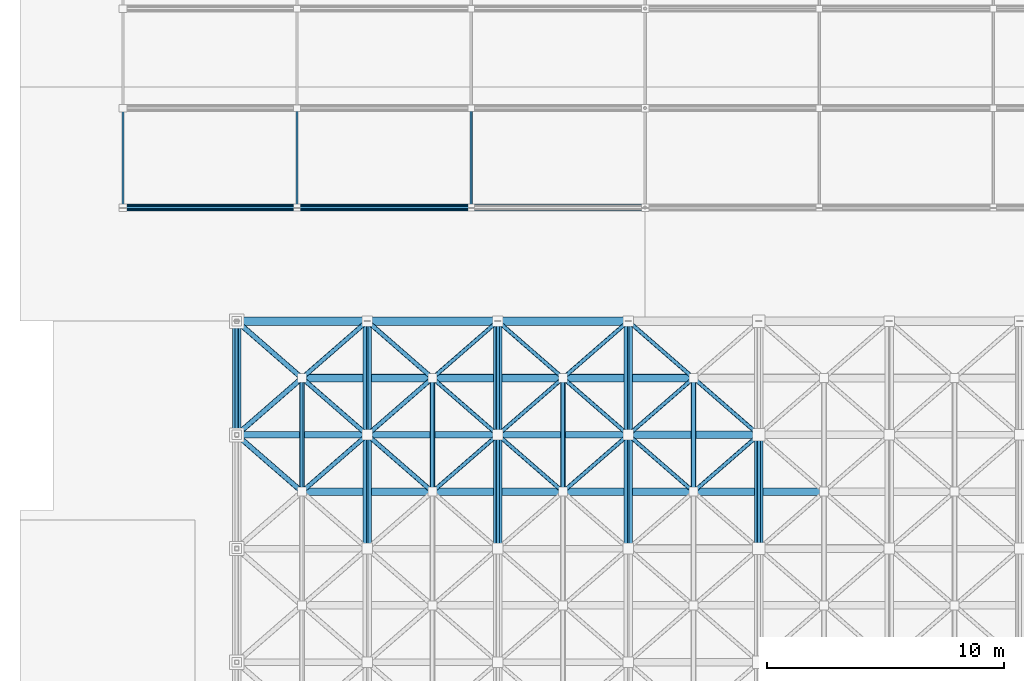
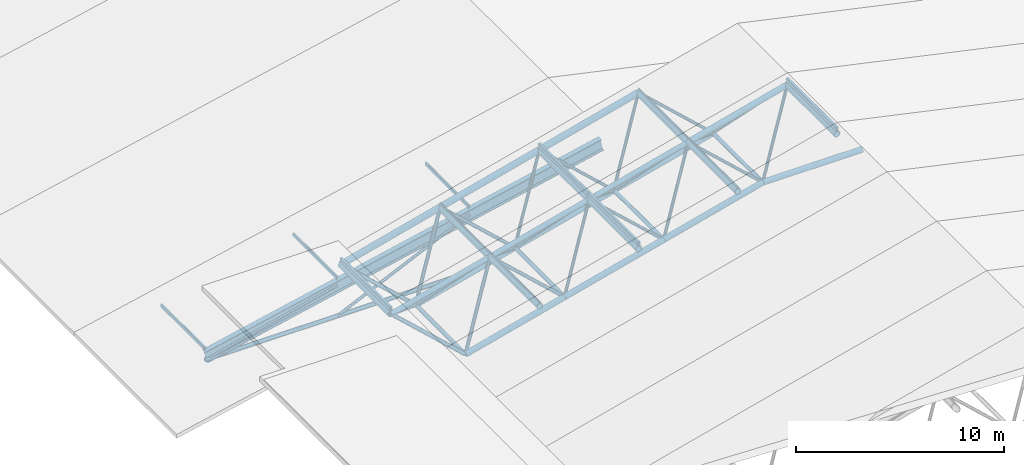
# One storey, part 9 of 60: 64 members, 1 beam.
"""IFC4 building model written with IfcOpenShell, lengths in metres."""

from ifc_helpers import new_model, si_unit, direction, frame, origin, origin_2d, place, context, subcontext, project, spatial, hollow_rectangle, hollow_circle, i_section, extrude, material, material_profile, profile_set, type_object, element, save


model = new_model("IFC4")

# Units and contexts
model_context = context("Model", 3, precision=1e-05, world=origin(), true_north=direction((0.0, 1.0)))
body_context = subcontext(model_context, "Body", "Model", "MODEL_VIEW")
ifc_project = project(units=[si_unit("LENGTHUNIT", "METRE"), si_unit("AREAUNIT", "SQUARE_METRE"), si_unit("VOLUMEUNIT", "CUBIC_METRE"), si_unit("PLANEANGLEUNIT", "RADIAN"), si_unit("MASSUNIT", "GRAM", prefix="KILO")], contexts=[model_context])

# Site, building, storey
site_placement = place(None, origin())
site = spatial("IfcSite", under=ifc_project, at=site_placement, CompositionType="ELEMENT")
building_placement = place(site_placement, origin())
building = spatial("IfcBuilding", under=site, at=building_placement, Name="Nakhvara Creek Congress Hotel", CompositionType="ELEMENT")
storey_placement = place(building_placement, frame((0.0, 0.0, 54.60009765625)))
storey = spatial("IfcBuildingStorey", under=building, at=storey_placement, Name="RL1", CompositionType="ELEMENT", Elevation=54.60009765625)

# Beam
ifc_material_1 = material(Name="Steel S355J2", Category="steel")
ifc_material_profile_1 = material_profile(ifc_material_1, i_section(OverallWidth=0.300048828125, OverallDepth=0.699951171875, WebThickness=0.01708984375, FlangeThickness=0.031982421875, FilletRadius=0.027099609375, at=origin_2d()), Name="HEB 700", Category="LoadBearing")
ifc_profile_set_1 = profile_set([ifc_material_profile_1], Name="Steel S355J2")
beam_type = type_object("IfcBeamType", Name="BM-ST-HEB700", PredefinedType="BEAM", material=ifc_profile_set_1)
beam_placement = place(storey_placement, frame((4.35009765625, 91.199951171875, -41.68017578125), z_axis=(0.977115492222, 0.0, 0.212709461143), x_axis=(0.0, 1.0, 0.0)))
element("IfcBeam", 1, at=beam_placement, inside=storey, type_object=beam_type, Name="Ballroom Roof Truss West Rafter 01", PredefinedType="BEAM", context=body_context, shape_type="SweptSolid", body=[
    extrude(i_section(OverallWidth=0.300048828125, OverallDepth=0.699951171875, WebThickness=0.01708984375, FlangeThickness=0.031982421875, FilletRadius=0.027099609375, at=origin_2d()), origin(), (0.0, 0.0, 1.0), 22.566162109375),
])

# Members
ifc_material_2 = material(Name="Steel S355J2H", Category="steel")
ifc_material_profile_2 = material_profile(ifc_material_2, hollow_circle(Radius=0.084228515625, WallThickness=0.008056640625, at=origin_2d()), Name="CHS 168.3x8.0", Category="LoadBearing")
ifc_profile_set_2 = profile_set([ifc_material_profile_2], Name="Steel S355J2H")
member_type_1 = type_object("IfcMemberType", Name="MEM-BRC-CHS168", PredefinedType="BRACE", material=ifc_profile_set_2)
member_1_placement = place(storey_placement, frame((4.35009765625, 91.199951171875, -41.89013671875), z_axis=(0.970988385027, 0.0, 0.239126652934), x_axis=(0.0, 1.0, 0.0)))
element("IfcMember", 2, at=member_1_placement, inside=storey, type_object=member_type_1, Name="Ballroom Roof Truss Web Brace 01.1", PredefinedType="BRACE", context=body_context, shape_type="SweptSolid", body=[
    extrude(hollow_circle(Radius=0.084228515625, WallThickness=0.008056640625, at=origin_2d()), origin(), (0.0, 0.0, 1.0), 7.5693359375),
])
member_2_placement = place(storey_placement, frame((11.699951171875, 91.199951171875, -41.89013671875), z_axis=(0.907121554774, 0.0, 0.420868726403), x_axis=(0.0, 1.0, 0.0)))
element("IfcMember", 3, at=member_2_placement, inside=storey, type_object=member_type_1, Name="Ballroom Roof Truss Web Brace 01.2", PredefinedType="BRACE", context=body_context, shape_type="SweptSolid", body=[
    extrude(hollow_circle(Radius=0.084228515625, WallThickness=0.008056640625, at=origin_2d()), origin(), (0.0, 0.0, 1.0), 8.1025390625),
])
ifc_material_profile_3 = material_profile(ifc_material_2, hollow_circle(Radius=0.084228515625, WallThickness=0.010009765625, at=origin_2d()), Name="CHS 168.3x10.0", Category="LoadBearing")
ifc_profile_set_3 = profile_set([ifc_material_profile_3], Name="Steel S355J2H")
member_type_2 = type_object("IfcMemberType", Name="MEM-BRC-CHS168H", PredefinedType="BRACE", material=ifc_profile_set_3)
member_3_placement = place(storey_placement, frame((17.418701171875, 79.199951171875, -35.489990234375), z_axis=(0.558242106429, 0.486100810301, 0.672362813394), x_axis=(-0.656696195101, 0.754155227616, 0.0)))
element("IfcMember", 4, at=member_3_placement, inside=storey, type_object=member_type_2, Name="Congress Space Frame Web Diagonal 0630", PredefinedType="BRACE", context=body_context, shape_type="SweptSolid", body=[
    extrude(hollow_circle(Radius=0.084228515625, WallThickness=0.010009765625, at=origin_2d()), origin(), (0.0, 0.0, 1.0), 4.9375),
])
member_4_placement = place(storey_placement, frame((22.93115234375, 79.199951171875, -34.050048828125), z_axis=(-0.670611215194, 0.584000253041, 0.457410431127), x_axis=(-0.656729278158, -0.754126418587, 0.0)))
element("IfcMember", 5, at=member_4_placement, inside=storey, type_object=member_type_2, Name="Congress Space Frame Web Diagonal 0635", PredefinedType="BRACE", context=body_context, shape_type="SweptSolid", body=[
    extrude(hollow_circle(Radius=0.084228515625, WallThickness=0.010009765625, at=origin_2d()), origin(), (0.0, 0.0, 1.0), 4.10986328125),
])
member_5_placement = place(storey_placement, frame((22.93115234375, 79.199951171875, -34.050048828125), z_axis=(0.558223547657, 0.486084649868, 0.672389904746), x_axis=(-0.656696195101, 0.754155227616, 0.0)))
element("IfcMember", 6, at=member_5_placement, inside=storey, type_object=member_type_2, Name="Congress Space Frame Web Diagonal 0636", PredefinedType="BRACE", context=body_context, shape_type="SweptSolid", body=[
    extrude(hollow_circle(Radius=0.084228515625, WallThickness=0.010009765625, at=origin_2d()), origin(), (0.0, 0.0, 1.0), 4.937744140625),
])
member_6_placement = place(storey_placement, frame((28.44384765625, 79.199951171875, -32.610107421875), z_axis=(-0.670625680367, 0.583961121673, 0.457439181976), x_axis=(-0.656696195101, -0.754155227616, 0.0)))
element("IfcMember", 7, at=member_6_placement, inside=storey, type_object=member_type_2, Name="Congress Space Frame Web Diagonal 0641", PredefinedType="BRACE", context=body_context, shape_type="SweptSolid", body=[
    extrude(hollow_circle(Radius=0.084228515625, WallThickness=0.010009765625, at=origin_2d()), origin(), (0.0, 0.0, 1.0), 4.110107421875),
])
for number, where, z_axis, x_axis, name in (
    (8, (28.44384765625, 79.199951171875, -32.610107421875), (0.558189509619, 0.486098066176, 0.672408463221), (-0.656729278158, 0.754126418587, 0.0), "Congress Space Frame Web Diagonal 0642"),
    (9, (17.418701171875, 84.0, -35.489990234375), (0.558255523915, -0.486063046951, 0.672378973799), (0.656658200939, 0.754188310132, 0.0), "Congress Space Frame Web Diagonal 0673"),
    (10, (17.418701171875, 84.0, -35.489990234375), (0.558255523915, 0.486063046951, 0.672378973799), (-0.656658200939, 0.754188310132, 0.0), "Congress Space Frame Web Diagonal 0675"),
):
    element("IfcMember", number, at=place(storey_placement, frame(where, z_axis=z_axis, x_axis=x_axis)), inside=storey, type_object=member_type_2, Name=name, PredefinedType="BRACE", context=body_context, shape_type="SweptSolid", body=[
        extrude(hollow_circle(Radius=0.084228515625, WallThickness=0.010009765625, at=origin_2d()), origin(), (0.0, 0.0, 1.0), 4.9375),
    ])
member_7_placement = place(storey_placement, frame((22.93115234375, 84.0, -34.050048828125), z_axis=(-0.670634480014, -0.583961107143, 0.457426299593), x_axis=(0.656691284984, -0.754159503173, 0.0)))
element("IfcMember", 11, at=member_7_placement, inside=storey, type_object=member_type_2, Name="Congress Space Frame Web Diagonal 0677", PredefinedType="BRACE", context=body_context, shape_type="SweptSolid", body=[
    extrude(hollow_circle(Radius=0.084228515625, WallThickness=0.010009765625, at=origin_2d()), origin(), (0.0, 0.0, 1.0), 4.109619140625),
])
member_8_placement = place(storey_placement, frame((22.93115234375, 84.0, -34.050048828125), z_axis=(0.558236963804, -0.486046886997, 0.672406064728), x_axis=(0.656658200939, 0.754188310132, 0.0)))
element("IfcMember", 12, at=member_8_placement, inside=storey, type_object=member_type_2, Name="Congress Space Frame Web Diagonal 0678", PredefinedType="BRACE", context=body_context, shape_type="SweptSolid", body=[
    extrude(hollow_circle(Radius=0.084228515625, WallThickness=0.010009765625, at=origin_2d()), origin(), (0.0, 0.0, 1.0), 4.9375),
])
member_9_placement = place(storey_placement, frame((22.93115234375, 84.0, -34.050048828125), z_axis=(-0.670634480014, 0.583961107143, 0.457426299593), x_axis=(-0.656691284984, -0.754159503173, 0.0)))
element("IfcMember", 13, at=member_9_placement, inside=storey, type_object=member_type_2, Name="Congress Space Frame Web Diagonal 0679", PredefinedType="BRACE", context=body_context, shape_type="SweptSolid", body=[
    extrude(hollow_circle(Radius=0.084228515625, WallThickness=0.010009765625, at=origin_2d()), origin(), (0.0, 0.0, 1.0), 4.109619140625),
])
member_10_placement = place(storey_placement, frame((22.93115234375, 84.0, -34.050048828125), z_axis=(0.558236963804, 0.486046886997, 0.672406064728), x_axis=(-0.656658200939, 0.754188310132, 0.0)))
element("IfcMember", 14, at=member_10_placement, inside=storey, type_object=member_type_2, Name="Congress Space Frame Web Diagonal 0680", PredefinedType="BRACE", context=body_context, shape_type="SweptSolid", body=[
    extrude(hollow_circle(Radius=0.084228515625, WallThickness=0.010009765625, at=origin_2d()), origin(), (0.0, 0.0, 1.0), 4.9375),
])
member_11_placement = place(storey_placement, frame((28.44384765625, 84.0, -32.610107421875), z_axis=(-0.670648942571, -0.583921975684, 0.457455049313), x_axis=(0.656658200939, -0.754188310132, 0.0)))
element("IfcMember", 15, at=member_11_placement, inside=storey, type_object=member_type_2, Name="Congress Space Frame Web Diagonal 0682", PredefinedType="BRACE", context=body_context, shape_type="SweptSolid", body=[
    extrude(hollow_circle(Radius=0.084228515625, WallThickness=0.010009765625, at=origin_2d()), origin(), (0.0, 0.0, 1.0), 4.10986328125),
])
member_12_placement = place(storey_placement, frame((28.44384765625, 84.0, -32.610107421875), z_axis=(0.558202925689, -0.486060302908, 0.672424624541), x_axis=(0.656691284984, 0.754159503173, 0.0)))
element("IfcMember", 16, at=member_12_placement, inside=storey, type_object=member_type_2, Name="Congress Space Frame Web Diagonal 0683", PredefinedType="BRACE", context=body_context, shape_type="SweptSolid", body=[
    extrude(hollow_circle(Radius=0.084228515625, WallThickness=0.010009765625, at=origin_2d()), origin(), (0.0, 0.0, 1.0), 4.9375),
])
member_13_placement = place(storey_placement, frame((28.44384765625, 84.0, -32.610107421875), z_axis=(-0.670648942571, 0.583921975684, 0.457455049313), x_axis=(-0.656658200939, -0.754188310132, 0.0)))
element("IfcMember", 17, at=member_13_placement, inside=storey, type_object=member_type_2, Name="Congress Space Frame Web Diagonal 0684", PredefinedType="BRACE", context=body_context, shape_type="SweptSolid", body=[
    extrude(hollow_circle(Radius=0.084228515625, WallThickness=0.010009765625, at=origin_2d()), origin(), (0.0, 0.0, 1.0), 4.10986328125),
])
ifc_material_profile_4 = material_profile(ifc_material_2, hollow_circle(Radius=0.096923828125, WallThickness=0.010009765625, at=origin_2d()), Name="CHS 193.7x10.0", Category="LoadBearing")
ifc_profile_set_4 = profile_set([ifc_material_profile_4], Name="Steel S355J2H")
member_type_3 = type_object("IfcMemberType", Name="MEM-BRC-CHS193", PredefinedType="BRACE", material=ifc_profile_set_4)
member_14_placement = place(storey_placement, frame((11.90625, 79.199951171875, -36.93017578125), z_axis=(0.558223547657, 0.486084649868, 0.672389904746), x_axis=(-0.656696195101, 0.754155227616, 0.0)))
element("IfcMember", 18, at=member_14_placement, inside=storey, type_object=member_type_3, Name="Congress Space Frame Web Diagonal 0624", PredefinedType="BRACE", context=body_context, shape_type="SweptSolid", body=[
    extrude(hollow_circle(Radius=0.096923828125, WallThickness=0.010009765625, at=origin_2d()), origin(), (0.0, 0.0, 1.0), 4.937744140625),
])
member_15_placement = place(storey_placement, frame((17.418701171875, 79.199951171875, -35.489990234375), z_axis=(-0.670611215194, 0.584000253041, 0.457410431127), x_axis=(-0.656729278158, -0.754126418587, 0.0)))
element("IfcMember", 19, at=member_15_placement, inside=storey, type_object=member_type_3, Name="Congress Space Frame Web Diagonal 0629", PredefinedType="BRACE", context=body_context, shape_type="SweptSolid", body=[
    extrude(hollow_circle(Radius=0.096923828125, WallThickness=0.010009765625, at=origin_2d()), origin(), (0.0, 0.0, 1.0), 4.10986328125),
])
for number, where, z_axis, x_axis, name in (
    (20, (11.90625, 84.0, -36.93017578125), (0.558236963804, -0.486046886997, 0.672406064728), (0.656658200939, 0.754188310132, 0.0), "Congress Space Frame Web Diagonal 0668"),
    (21, (11.90625, 84.0, -36.93017578125), (0.558236963804, 0.486046886997, 0.672406064728), (-0.656658200939, 0.754188310132, 0.0), "Congress Space Frame Web Diagonal 0670"),
):
    element("IfcMember", number, at=place(storey_placement, frame(where, z_axis=z_axis, x_axis=x_axis)), inside=storey, type_object=member_type_3, Name=name, PredefinedType="BRACE", context=body_context, shape_type="SweptSolid", body=[
        extrude(hollow_circle(Radius=0.096923828125, WallThickness=0.010009765625, at=origin_2d()), origin(), (0.0, 0.0, 1.0), 4.9375),
    ])
for number, where, z_axis, x_axis, name in (
    (22, (17.418701171875, 84.0, -35.489990234375), (-0.670634480014, -0.583961107143, 0.457426299593), (0.656691284984, -0.754159503173, 0.0), "Congress Space Frame Web Diagonal 0672"),
    (23, (17.418701171875, 84.0, -35.489990234375), (-0.670634480014, 0.583961107143, 0.457426299593), (-0.656691284984, -0.754159503173, 0.0), "Congress Space Frame Web Diagonal 0674"),
):
    element("IfcMember", number, at=place(storey_placement, frame(where, z_axis=z_axis, x_axis=x_axis)), inside=storey, type_object=member_type_3, Name=name, PredefinedType="BRACE", context=body_context, shape_type="SweptSolid", body=[
        extrude(hollow_circle(Radius=0.096923828125, WallThickness=0.010009765625, at=origin_2d()), origin(), (0.0, 0.0, 1.0), 4.109619140625),
    ])
ifc_material_profile_5 = material_profile(ifc_material_2, hollow_circle(Radius=0.109619140625, WallThickness=0.010009765625, at=origin_2d()), Name="CHS 219.1x10.0", Category="LoadBearing")
ifc_profile_set_5 = profile_set([ifc_material_profile_5], Name="Steel S355J2H")
member_type_4 = type_object("IfcMemberType", Name="MEM-BRC-CHS219", PredefinedType="BRACE", material=ifc_profile_set_5)
member_16_placement = place(storey_placement, frame((11.90625, 79.199951171875, -36.93017578125), z_axis=(-0.670625680367, 0.583961121673, 0.457439181976), x_axis=(-0.656696195101, -0.754155227616, 0.0)))
element("IfcMember", 24, at=member_16_placement, inside=storey, type_object=member_type_4, Name="Congress Space Frame Web Diagonal 0623", PredefinedType="BRACE", context=body_context, shape_type="SweptSolid", body=[
    extrude(hollow_circle(Radius=0.109619140625, WallThickness=0.010009765625, at=origin_2d()), origin(), (0.0, 0.0, 1.0), 4.110107421875),
])
for number, where, z_axis, x_axis, name in (
    (25, (11.90625, 84.0, -36.93017578125), (-0.670648942571, -0.583921975684, 0.457455049313), (0.656658200939, -0.754188310132, 0.0), "Congress Space Frame Web Diagonal 0667"),
    (26, (11.90625, 84.0, -36.93017578125), (-0.670648942571, 0.583921975684, 0.457455049313), (-0.656658200939, -0.754188310132, 0.0), "Congress Space Frame Web Diagonal 0669"),
):
    element("IfcMember", number, at=place(storey_placement, frame(where, z_axis=z_axis, x_axis=x_axis)), inside=storey, type_object=member_type_4, Name=name, PredefinedType="BRACE", context=body_context, shape_type="SweptSolid", body=[
        extrude(hollow_circle(Radius=0.109619140625, WallThickness=0.010009765625, at=origin_2d()), origin(), (0.0, 0.0, 1.0), 4.10986328125),
    ])
ifc_material_profile_6 = material_profile(ifc_material_2, hollow_circle(Radius=0.109619140625, WallThickness=0.012451171875, at=origin_2d()), Name="CHS 219.1x12.5", Category="LoadBearing")
ifc_profile_set_6 = profile_set([ifc_material_profile_6], Name="Steel S355J2H")
member_type_5 = type_object("IfcMemberType", Name="MEM-CHD-CHS219H", PredefinedType="CHORD", material=ifc_profile_set_6)
for number, where, z_axis, x_axis, name in (
    (27, (11.90625, 79.199951171875, -36.93017578125), (0.0, 1.0, 0.0), (-1.0, 0.0, 0.0), "Congress Roof Truss Bottom Tie 0620"),
    (28, (17.418701171875, 79.199951171875, -35.489990234375), (0.0, 1.0, 0.0), (-1.0, 0.0, 0.0), "Congress Roof Truss Bottom Tie 0626"),
    (29, (22.93115234375, 79.199951171875, -34.050048828125), (0.0, 1.0, 0.0), (-1.0, 0.0, 0.0), "Congress Roof Truss Bottom Tie 0632"),
    (30, (28.44384765625, 79.199951171875, -32.610107421875), (0.0, 1.0, 0.0), (-1.0, 0.0, 0.0), "Congress Roof Truss Bottom Tie 0638"),
):
    element("IfcMember", number, at=place(storey_placement, frame(where, z_axis=z_axis, x_axis=x_axis)), inside=storey, type_object=member_type_5, Name=name, PredefinedType="CHORD", context=body_context, shape_type="SweptSolid", body=[
        extrude(hollow_circle(Radius=0.109619140625, WallThickness=0.012451171875, at=origin_2d()), origin(), (0.0, 0.0, 1.0), 4.800048828125),
    ])
ifc_material_profile_7 = material_profile(ifc_material_2, hollow_circle(Radius=0.122314453125, WallThickness=0.012451171875, at=origin_2d()), Name="CHS 244.5x12.5", Category="LoadBearing")
ifc_profile_set_7 = profile_set([ifc_material_profile_7], Name="Steel S355J2H")
member_type_6 = type_object("IfcMemberType", Name="MEM-CHD-CHS244", PredefinedType="CHORD", material=ifc_profile_set_7)
member_17_placement = place(storey_placement, frame((4.35009765625, 91.199951171875, -41.89013671875), z_axis=(1.0, 0.0, 0.0), x_axis=(0.0, 1.0, 0.0)))
element("IfcMember", 31, at=member_17_placement, inside=storey, type_object=member_type_6, Name="Ballroom Roof Truss Bottom Chord 01.1", PredefinedType="CHORD", context=body_context, shape_type="SweptSolid", body=[
    extrude(hollow_circle(Radius=0.122314453125, WallThickness=0.012451171875, at=origin_2d()), origin(), (0.0, 0.0, 1.0), 7.349853515625),
])
member_18_placement = place(storey_placement, frame((11.699951171875, 91.199951171875, -41.89013671875), z_axis=(1.0, 0.0, 0.0), x_axis=(0.0, 1.0, 0.0)))
element("IfcMember", 32, at=member_18_placement, inside=storey, type_object=member_type_6, Name="Ballroom Roof Truss Bottom Chord 01.2", PredefinedType="CHORD", context=body_context, shape_type="SweptSolid", body=[
    extrude(hollow_circle(Radius=0.122314453125, WallThickness=0.012451171875, at=origin_2d()), origin(), (0.0, 0.0, 1.0), 7.35009765625),
])
ifc_material_profile_8 = material_profile(ifc_material_2, hollow_circle(Radius=0.136474609375, WallThickness=0.01611328125, at=origin_2d()), Name="CHS 273.0x16.0", Category="LoadBearing")
ifc_profile_set_8 = profile_set([ifc_material_profile_8], Name="Steel S355J2H")
member_type_7 = type_object("IfcMemberType", Name="MEM-CHD-CHS273H", PredefinedType="CHORD", material=ifc_profile_set_8)
member_19_placement = place(storey_placement, frame((9.14990234375, 81.60009765625, -35.050048828125), z_axis=(0.967538048321, 0.0, 0.252725394553), x_axis=(0.0, 1.0, 0.0)))
element("IfcMember", 33, at=member_19_placement, inside=storey, type_object=member_type_7, Name="Congress Space Frame Top Chord 0171", PredefinedType="CHORD", context=body_context, shape_type="SweptSolid", body=[
    extrude(hollow_circle(Radius=0.136474609375, WallThickness=0.01611328125, at=origin_2d()), origin(), (0.0, 0.0, 1.0), 5.69775390625),
])
for number, where, z_axis, x_axis, name in (
    (34, (14.66259765625, 81.60009765625, -33.610107421875), (0.967535311358, 0.0, 0.252735872554), (0.0, 1.0, 0.0), "Congress Space Frame Top Chord 0173"),
    (35, (20.175048828125, 81.60009765625, -32.170166015625), (0.967524832219, 0.0, 0.252775985883), (0.0, 1.0, 0.0), "Congress Space Frame Top Chord 0175"),
):
    element("IfcMember", number, at=place(storey_placement, frame(where, z_axis=z_axis, x_axis=x_axis)), inside=storey, type_object=member_type_7, Name=name, PredefinedType="CHORD", context=body_context, shape_type="SweptSolid", body=[
        extrude(hollow_circle(Radius=0.136474609375, WallThickness=0.01611328125, at=origin_2d()), origin(), (0.0, 0.0, 1.0), 5.697509765625),
    ])
ifc_material_profile_9 = material_profile(ifc_material_2, hollow_circle(Radius=0.161865234375, WallThickness=0.012451171875, at=origin_2d()), Name="CHS 323.9x12.5", Category="LoadBearing")
ifc_profile_set_9 = profile_set([ifc_material_profile_9], Name="Steel S355J2H")
member_type_8 = type_object("IfcMemberType", Name="MEM-CHD-CHS324", PredefinedType="CHORD", material=ifc_profile_set_9)
for number, where, z_axis, x_axis, name in (
    (36, (11.90625, 79.199951171875, -36.93017578125), (0.967524832219, 0.0, 0.252775985883), (0.0, 1.0, 0.0), "Congress Space Frame Bottom Chord 0619"),
    (37, (17.418701171875, 79.199951171875, -35.489990234375), (0.967535311358, 0.0, 0.252735872554), (0.0, 1.0, 0.0), "Congress Space Frame Bottom Chord 0625"),
):
    element("IfcMember", number, at=place(storey_placement, frame(where, z_axis=z_axis, x_axis=x_axis)), inside=storey, type_object=member_type_8, Name=name, PredefinedType="CHORD", context=body_context, shape_type="SweptSolid", body=[
        extrude(hollow_circle(Radius=0.161865234375, WallThickness=0.012451171875, at=origin_2d()), origin(), (0.0, 0.0, 1.0), 5.697509765625),
    ])
member_20_placement = place(storey_placement, frame((22.93115234375, 79.199951171875, -34.050048828125), z_axis=(0.967538048321, 0.0, 0.252725394553), x_axis=(0.0, 1.0, 0.0)))
element("IfcMember", 38, at=member_20_placement, inside=storey, type_object=member_type_8, Name="Congress Space Frame Bottom Chord 0631", PredefinedType="CHORD", context=body_context, shape_type="SweptSolid", body=[
    extrude(hollow_circle(Radius=0.161865234375, WallThickness=0.012451171875, at=origin_2d()), origin(), (0.0, 0.0, 1.0), 5.69775390625),
])
member_21_placement = place(storey_placement, frame((28.44384765625, 79.199951171875, -32.610107421875), z_axis=(1.0, 0.0, 0.0), x_axis=(0.0, 1.0, 0.0)))
element("IfcMember", 39, at=member_21_placement, inside=storey, type_object=member_type_8, Name="Congress Space Frame Bottom Chord 0637", PredefinedType="CHORD", context=body_context, shape_type="SweptSolid", body=[
    extrude(hollow_circle(Radius=0.161865234375, WallThickness=0.012451171875, at=origin_2d()), origin(), (0.0, 0.0, 1.0), 5.512451171875),
])
for number, where, z_axis, x_axis, name in (
    (40, (11.90625, 84.0, -36.93017578125), (0.967524832219, 0.0, 0.252775985883), (0.0, 1.0, 0.0), "Congress Space Frame Bottom Chord 0666"),
    (41, (17.418701171875, 84.0, -35.489990234375), (0.967535311358, 0.0, 0.252735872554), (0.0, 1.0, 0.0), "Congress Space Frame Bottom Chord 0671"),
):
    element("IfcMember", number, at=place(storey_placement, frame(where, z_axis=z_axis, x_axis=x_axis)), inside=storey, type_object=member_type_8, Name=name, PredefinedType="CHORD", context=body_context, shape_type="SweptSolid", body=[
        extrude(hollow_circle(Radius=0.161865234375, WallThickness=0.012451171875, at=origin_2d()), origin(), (0.0, 0.0, 1.0), 5.697509765625),
    ])
member_22_placement = place(storey_placement, frame((22.93115234375, 84.0, -34.050048828125), z_axis=(0.967538048321, 0.0, 0.252725394553), x_axis=(0.0, 1.0, 0.0)))
element("IfcMember", 42, at=member_22_placement, inside=storey, type_object=member_type_8, Name="Congress Space Frame Bottom Chord 0676", PredefinedType="CHORD", context=body_context, shape_type="SweptSolid", body=[
    extrude(hollow_circle(Radius=0.161865234375, WallThickness=0.012451171875, at=origin_2d()), origin(), (0.0, 0.0, 1.0), 5.69775390625),
])
ifc_material_profile_10 = material_profile(ifc_material_2, hollow_circle(Radius=0.161865234375, WallThickness=0.01611328125, at=origin_2d()), Name="CHS 323.9x16.0", Category="LoadBearing")
ifc_profile_set_10 = profile_set([ifc_material_profile_10], Name="Steel S355J2H")
member_type_9 = type_object("IfcMemberType", Name="MEM-CHD-CHS324H", PredefinedType="CHORD", material=ifc_profile_set_10)
member_23_placement = place(storey_placement, frame((25.6875, 81.60009765625, -30.72998046875), z_axis=(0.967535311358, 0.0, 0.252735872554), x_axis=(0.0, 1.0, 0.0)))
element("IfcMember", 43, at=member_23_placement, inside=storey, type_object=member_type_9, Name="Congress Space Frame Top Chord 0177", PredefinedType="CHORD", context=body_context, shape_type="SweptSolid", body=[
    extrude(hollow_circle(Radius=0.161865234375, WallThickness=0.01611328125, at=origin_2d()), origin(), (0.0, 0.0, 1.0), 5.697509765625),
])
ifc_material_profile_11 = material_profile(ifc_material_2, hollow_circle(Radius=0.177734375, WallThickness=0.01611328125, at=origin_2d()), Name="CHS 355.6x16.0", Category="LoadBearing")
ifc_profile_set_11 = profile_set([ifc_material_profile_11], Name="Steel S355J2H")
member_type_10 = type_object("IfcMemberType", Name="MEM-CHD-CHS355", PredefinedType="CHORD", material=ifc_profile_set_11)
for number, where, z_axis, x_axis, name in (
    (44, (14.66259765625, 76.800048828125, -33.610107421875), (0.0, 1.0, 0.0), (-1.0, 0.0, 0.0), "Congress Roof Truss Longitudinal Chord 0157"),
    (45, (20.175048828125, 76.800048828125, -32.170166015625), (0.0, 1.0, 0.0), (-1.0, 0.0, 0.0), "Congress Roof Truss Longitudinal Chord 0159"),
    (46, (25.6875, 76.800048828125, -30.72998046875), (0.0, 1.0, 0.0), (-1.0, 0.0, 0.0), "Congress Roof Truss Longitudinal Chord 0161"),
    (47, (31.199951171875, 76.800048828125, -29.2900390625), (0.0, 1.0, 0.0), (-1.0, 0.0, 0.0), "Congress Roof Truss Longitudinal Chord 0163"),
):
    element("IfcMember", number, at=place(storey_placement, frame(where, z_axis=z_axis, x_axis=x_axis)), inside=storey, type_object=member_type_10, Name=name, PredefinedType="CHORD", context=body_context, shape_type="SweptSolid", body=[
        extrude(hollow_circle(Radius=0.177734375, WallThickness=0.01611328125, at=origin_2d()), origin(), (0.0, 0.0, 1.0), 4.800048828125),
    ])
for number, where, z_axis, x_axis, name in (
    (48, (9.14990234375, 81.60009765625, -35.050048828125), (0.0, 1.0, 0.0), (-1.0, 0.0, 0.0), "Congress Roof Truss Longitudinal Chord 0172"),
    (49, (14.66259765625, 81.60009765625, -33.610107421875), (0.0, 1.0, 0.0), (-1.0, 0.0, 0.0), "Congress Roof Truss Longitudinal Chord 0174"),
    (50, (20.175048828125, 81.60009765625, -32.170166015625), (0.0, 1.0, 0.0), (-1.0, 0.0, 0.0), "Congress Roof Truss Longitudinal Chord 0176"),
    (51, (25.6875, 81.60009765625, -30.72998046875), (0.0, 1.0, 0.0), (-1.0, 0.0, 0.0), "Congress Roof Truss Longitudinal Chord 0178"),
):
    element("IfcMember", number, at=place(storey_placement, frame(where, z_axis=z_axis, x_axis=x_axis)), inside=storey, type_object=member_type_10, Name=name, PredefinedType="CHORD", context=body_context, shape_type="SweptSolid", body=[
        extrude(hollow_circle(Radius=0.177734375, WallThickness=0.01611328125, at=origin_2d()), origin(), (0.0, 0.0, 1.0), 4.7998046875),
    ])
member_24_placement = place(storey_placement, frame((9.14990234375, 86.39990234375, -35.050048828125), z_axis=(0.967538048321, 0.0, 0.252725394553), x_axis=(0.0, 1.0, 0.0)))
element("IfcMember", 52, at=member_24_placement, inside=storey, type_object=member_type_10, Name="Congress Space Frame Top Chord 0188", PredefinedType="CHORD", context=body_context, shape_type="SweptSolid", body=[
    extrude(hollow_circle(Radius=0.177734375, WallThickness=0.01611328125, at=origin_2d()), origin(), (0.0, 0.0, 1.0), 5.69775390625),
])
for number, where, z_axis, x_axis, name in (
    (53, (14.66259765625, 86.39990234375, -33.610107421875), (0.967535311358, 0.0, 0.252735872554), (0.0, 1.0, 0.0), "Congress Space Frame Top Chord 0189"),
    (54, (20.175048828125, 86.39990234375, -32.170166015625), (0.967524832219, 0.0, 0.252775985883), (0.0, 1.0, 0.0), "Congress Space Frame Top Chord 0190"),
):
    element("IfcMember", number, at=place(storey_placement, frame(where, z_axis=z_axis, x_axis=x_axis)), inside=storey, type_object=member_type_10, Name=name, PredefinedType="CHORD", context=body_context, shape_type="SweptSolid", body=[
        extrude(hollow_circle(Radius=0.177734375, WallThickness=0.01611328125, at=origin_2d()), origin(), (0.0, 0.0, 1.0), 5.697509765625),
    ])
ifc_material_profile_12 = material_profile(ifc_material_2, hollow_rectangle(XDim=0.06005859375, YDim=0.1201171875, WallThickness=0.0048828125, InnerFilletRadius=0.0048828125, OuterFilletRadius=0.010009765625, at=origin_2d()), Name="RHS 120x60x5.0", Category="LoadBearing")
ifc_profile_set_12 = profile_set([ifc_material_profile_12], Name="Steel S355J2H")
member_type_11 = type_object("IfcMemberType", Name="MEM-PUR-RHS120", PredefinedType="PURLIN", material=ifc_profile_set_12)
member_25_placement = place(storey_placement, frame((14.66259765625, 76.800048828125, -33.378173828125), z_axis=(0.0, 1.0, 0.0), x_axis=(-1.0, 0.0, 0.0)))
element("IfcMember", 55, at=member_25_placement, inside=storey, type_object=member_type_11, Name="Congress Roof Purlin 021", PredefinedType="PURLIN", context=body_context, shape_type="SweptSolid", body=[
    extrude(hollow_rectangle(XDim=0.06005859375, YDim=0.1201171875, WallThickness=0.0048828125, InnerFilletRadius=0.0048828125, OuterFilletRadius=0.010009765625, at=origin_2d()), origin(), (0.0, 0.0, 1.0), 4.800048828125),
])
member_26_placement = place(storey_placement, frame((14.66259765625, 81.60009765625, -33.378173828125), z_axis=(0.0, 1.0, 0.0), x_axis=(-1.0, 0.0, 0.0)))
element("IfcMember", 56, at=member_26_placement, inside=storey, type_object=member_type_11, Name="Congress Roof Purlin 022", PredefinedType="PURLIN", context=body_context, shape_type="SweptSolid", body=[
    extrude(hollow_rectangle(XDim=0.06005859375, YDim=0.1201171875, WallThickness=0.0048828125, InnerFilletRadius=0.0048828125, OuterFilletRadius=0.010009765625, at=origin_2d()), origin(), (0.0, 0.0, 1.0), 4.7998046875),
])
member_27_placement = place(storey_placement, frame((25.6875, 76.800048828125, -30.498046875), z_axis=(0.0, 1.0, 0.0), x_axis=(-1.0, 0.0, 0.0)))
element("IfcMember", 57, at=member_27_placement, inside=storey, type_object=member_type_11, Name="Congress Roof Purlin 043", PredefinedType="PURLIN", context=body_context, shape_type="SweptSolid", body=[
    extrude(hollow_rectangle(XDim=0.06005859375, YDim=0.1201171875, WallThickness=0.0048828125, InnerFilletRadius=0.0048828125, OuterFilletRadius=0.010009765625, at=origin_2d()), origin(), (0.0, 0.0, 1.0), 4.800048828125),
])
member_28_placement = place(storey_placement, frame((25.6875, 81.60009765625, -30.498046875), z_axis=(0.0, 1.0, 0.0), x_axis=(-1.0, 0.0, 0.0)))
element("IfcMember", 58, at=member_28_placement, inside=storey, type_object=member_type_11, Name="Congress Roof Purlin 044", PredefinedType="PURLIN", context=body_context, shape_type="SweptSolid", body=[
    extrude(hollow_rectangle(XDim=0.06005859375, YDim=0.1201171875, WallThickness=0.0048828125, InnerFilletRadius=0.0048828125, OuterFilletRadius=0.010009765625, at=origin_2d()), origin(), (0.0, 0.0, 1.0), 4.7998046875),
])
ifc_material_profile_13 = material_profile(ifc_material_2, hollow_rectangle(XDim=0.10009765625, YDim=0.199951171875, WallThickness=0.008056640625, InnerFilletRadius=0.008056640625, OuterFilletRadius=0.01611328125, at=origin_2d()), Name="RHS 200x100x8.0", Category="LoadBearing")
ifc_profile_set_13 = profile_set([ifc_material_profile_13], Name="Steel S355J2H")
member_type_12 = type_object("IfcMemberType", Name="MEM-PUR-RHS200", PredefinedType="PURLIN", material=ifc_profile_set_13)
for number, where, z_axis, x_axis, name in (
    (59, (4.35009765625, 91.199951171875, -41.23388671875), (0.0, 1.0, 0.0), (-1.0, 0.0, 0.0), "Ballroom Roof Purlin 1.1"),
    (60, (11.699951171875, 91.199951171875, -39.6337890625), (0.0, 1.0, 0.0), (-1.0, 0.0, 0.0), "Ballroom Roof Purlin 2.1"),
    (61, (19.050048828125, 91.199951171875, -38.033935546875), (0.0, 1.0, 0.0), (-1.0, 0.0, 0.0), "Ballroom Roof Purlin 3.1"),
):
    element("IfcMember", number, at=place(storey_placement, frame(where, z_axis=z_axis, x_axis=x_axis)), inside=storey, type_object=member_type_12, Name=name, PredefinedType="PURLIN", context=body_context, shape_type="SweptSolid", body=[
        extrude(hollow_rectangle(XDim=0.10009765625, YDim=0.199951171875, WallThickness=0.008056640625, InnerFilletRadius=0.008056640625, OuterFilletRadius=0.01611328125, at=origin_2d()), origin(), (0.0, 0.0, 1.0), 4.199951171875),
    ])
ifc_material_profile_14 = material_profile(ifc_material_2, hollow_rectangle(XDim=0.14990234375, YDim=0.25, WallThickness=0.010009765625, InnerFilletRadius=0.010009765625, OuterFilletRadius=0.02001953125, at=origin_2d()), Name="RHS 250x150x10.0", Category="LoadBearing")
ifc_profile_set_14 = profile_set([ifc_material_profile_14], Name="Steel S355J2H")
member_type_13 = type_object("IfcMemberType", Name="MEM-PUR-RHS250", PredefinedType="PURLIN", material=ifc_profile_set_14)
member_29_placement = place(storey_placement, frame((9.14990234375, 81.60009765625, -34.753173828125), z_axis=(0.0, 1.0, 0.0), x_axis=(-1.0, 0.0, 0.0)))
element("IfcMember", 62, at=member_29_placement, inside=storey, type_object=member_type_13, Name="Congress Roof Purlin 011", PredefinedType="PURLIN", context=body_context, shape_type="SweptSolid", body=[
    extrude(hollow_rectangle(XDim=0.14990234375, YDim=0.25, WallThickness=0.010009765625, InnerFilletRadius=0.010009765625, OuterFilletRadius=0.02001953125, at=origin_2d()), origin(), (0.0, 0.0, 1.0), 4.7998046875),
])
member_30_placement = place(storey_placement, frame((20.175048828125, 76.800048828125, -31.873046875), z_axis=(0.0, 1.0, 0.0), x_axis=(-1.0, 0.0, 0.0)))
element("IfcMember", 63, at=member_30_placement, inside=storey, type_object=member_type_13, Name="Congress Roof Purlin 032", PredefinedType="PURLIN", context=body_context, shape_type="SweptSolid", body=[
    extrude(hollow_rectangle(XDim=0.14990234375, YDim=0.25, WallThickness=0.010009765625, InnerFilletRadius=0.010009765625, OuterFilletRadius=0.02001953125, at=origin_2d()), origin(), (0.0, 0.0, 1.0), 4.800048828125),
])
member_31_placement = place(storey_placement, frame((20.175048828125, 81.60009765625, -31.873046875), z_axis=(0.0, 1.0, 0.0), x_axis=(-1.0, 0.0, 0.0)))
element("IfcMember", 64, at=member_31_placement, inside=storey, type_object=member_type_13, Name="Congress Roof Purlin 033", PredefinedType="PURLIN", context=body_context, shape_type="SweptSolid", body=[
    extrude(hollow_rectangle(XDim=0.14990234375, YDim=0.25, WallThickness=0.010009765625, InnerFilletRadius=0.010009765625, OuterFilletRadius=0.02001953125, at=origin_2d()), origin(), (0.0, 0.0, 1.0), 4.7998046875),
])
member_32_placement = place(storey_placement, frame((31.199951171875, 76.800048828125, -28.9931640625), z_axis=(0.0, 1.0, 0.0), x_axis=(-1.0, 0.0, 0.0)))
element("IfcMember", 65, at=member_32_placement, inside=storey, type_object=member_type_13, Name="Congress Roof Purlin 054", PredefinedType="PURLIN", context=body_context, shape_type="SweptSolid", body=[
    extrude(hollow_rectangle(XDim=0.14990234375, YDim=0.25, WallThickness=0.010009765625, InnerFilletRadius=0.010009765625, OuterFilletRadius=0.02001953125, at=origin_2d()), origin(), (0.0, 0.0, 1.0), 4.800048828125),
])

save(model, "model.ifc")
